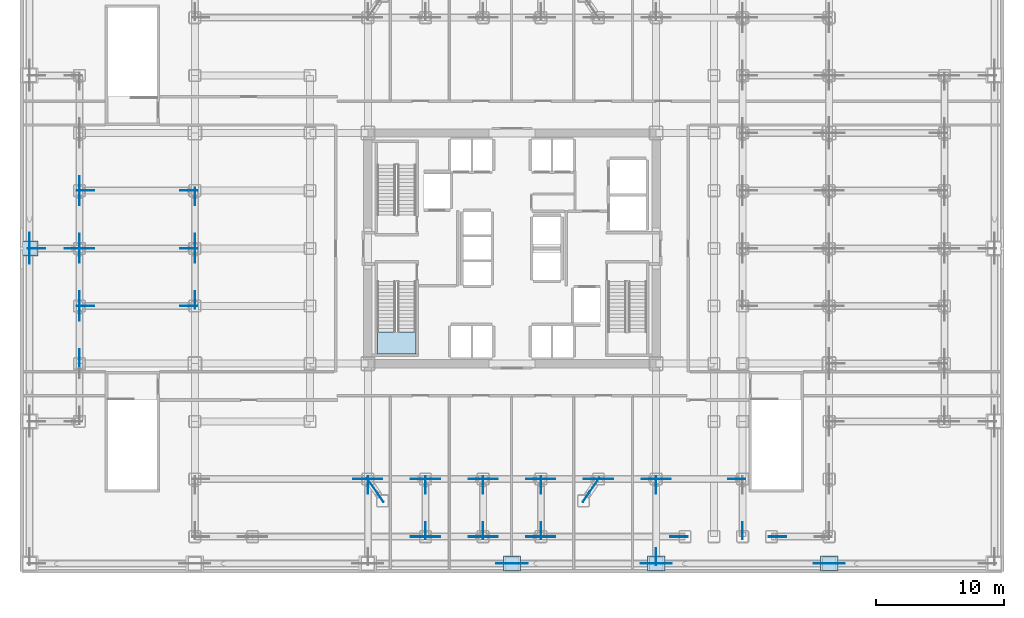
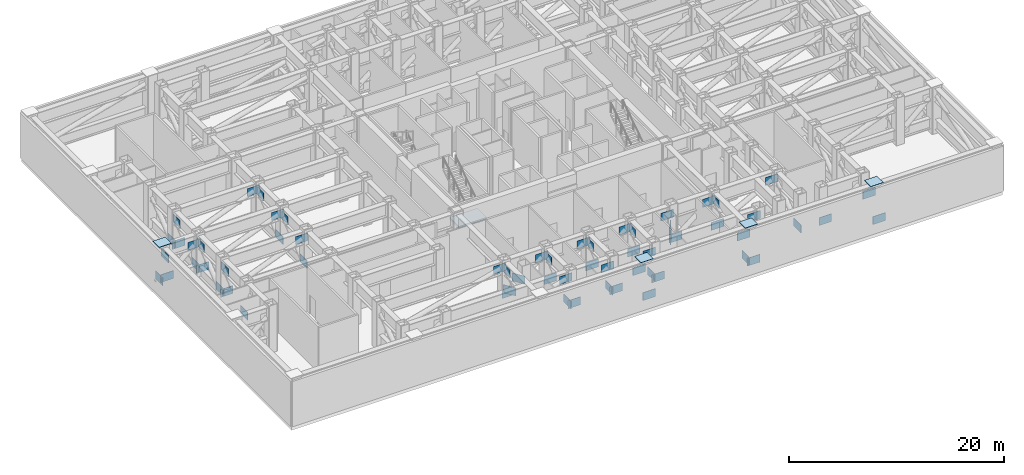
# One storey, part 6 of 17: 66 plates, 1 slab, 1 element without a shape of its own.
"""IFC4 building model written with IfcOpenShell, lengths in metres."""

from ifc_helpers import new_model, si_unit, direction, frame, origin, origin_2d, place, context, subcontext, project, spatial, polyline, rectangle, outline, extrude, source, transform, mapped, material, layer, layer_set, type_object, element, aggregate, save


model = new_model("IFC4")

# Units and contexts
model_context = context("Model", 3, precision=1e-05, world=origin(), true_north=direction((0.0, 1.0)))
body_context = subcontext(model_context, "Body", "Model", "MODEL_VIEW")
ifc_project = project(units=[si_unit("LENGTHUNIT", "METRE"), si_unit("AREAUNIT", "SQUARE_METRE"), si_unit("VOLUMEUNIT", "CUBIC_METRE"), si_unit("PLANEANGLEUNIT", "RADIAN"), si_unit("MASSUNIT", "GRAM", prefix="KILO")], contexts=[model_context])

# Site, building, storey
site_placement = place(None, origin())
site = spatial("IfcSite", under=ifc_project, at=site_placement, CompositionType="ELEMENT")
building_placement = place(site_placement, origin())
building = spatial("IfcBuilding", under=site, at=building_placement, Name="Nefas-Gora Pilgrimage Tower", CompositionType="ELEMENT")
storey_placement = place(building_placement, frame((0.0, 0.0, 27.60009765625)))
storey = spatial("IfcBuildingStorey", under=building, at=storey_placement, Name="L05", CompositionType="ELEMENT", Elevation=27.60009765625)

# Stair, slab
ifc_material_1 = material(Name="Concrete C45/55", Category="concrete")
stair_type = type_object("IfcStairType", Name="STR-1400-R1800", PredefinedType="HALF_TURN_STAIR", material=ifc_material_1)
stair_placement = place(storey_placement, origin())
stair = element("IfcStair", 1, at=stair_placement, inside=storey, type_object=stair_type, Name="L05 Pressurised Tower Exit Stair ST-03", PredefinedType="HALF_TURN_STAIR")
ifc_material_2 = material(Name="Concrete C40/50", Category="concrete")
ifc_layer_1 = layer(ifc_material_2, 0.199951171875)
ifc_layer_set_1 = layer_set([ifc_layer_1], Name="Concrete C40/50")
slab_type = type_object("IfcSlabType", Name="STR-LAND-200", PredefinedType="LANDING", material=ifc_layer_set_1)
slab_placement = place(storey_placement, frame((0.0, 0.0, 2.5)))
slab = element("IfcSlab", 2, at=slab_placement, type_object=slab_type, Name="ST-03 landing 1", PredefinedType="LANDING", context=body_context, shape_type="SweptSolid", body=[
    extrude(outline(polyline([(-10.5, -6.52001953125), (-10.5, -8.25), (-7.5, -8.25), (-7.5, -6.52001953125), (-10.5, -6.52001953125)])), origin(), (0.0, 0.0, 1.0), 0.199951171875),
])
aggregate(stair, [slab])

# Plates
ifc_material_3 = material(Name="Steel S460", Category="steel")
ifc_layer_2 = layer(ifc_material_3, 0.0400390625)
ifc_layer_set_2 = layer_set([ifc_layer_2], Name="Steel S460")
plate_type_1 = type_object("IfcPlateType", Name="PLT-NODE-N03", PredefinedType="USERDEFINED", material=ifc_layer_set_2)
shared_shape_1 = source(origin(), body_context, "Body", "SweptSolid", [
    extrude(rectangle(XDim=1.35009765625, YDim=0.044921875, at=origin_2d()), origin(), (0.0, 0.0, 1.0), 0.89990234375),
])
plate_1_placement = place(storey_placement, frame((-37.64990234375, -0.5380859375, 3.808349609375), z_axis=(0.0, 0.0, 1.0), x_axis=(0.0, 1.0, 0.0)))
element("IfcPlate", 3, at=plate_1_placement, inside=storey, type_object=plate_type_1, Name="Structural Node Gusset Plate N03 (L05)", ObjectType="GUSSET_PLATE", PredefinedType="USERDEFINED", context=body_context, shape_type="MappedRepresentation", body=[
    mapped(shared_shape_1, transform((0.0, 0.0, 0.0), x_axis=(1.0, 0.0, 0.0), y_axis=(0.0, 1.0, 0.0), z_axis=(0.0, 0.0, 1.0), scale=1.0)),
])
ifc_layer_3 = layer(ifc_material_3, 0.0380859375)
ifc_layer_set_3 = layer_set([ifc_layer_3], Name="Steel S460")
plate_type_2 = type_object("IfcPlateType", Name="PLT-NODE-N02", PredefinedType="USERDEFINED", material=ifc_layer_set_3)
for number, where, z_axis, x_axis, name in (
    (4, (-37.64990234375, 0.5380859375, 0.54150390625), (0.0, 0.0, 1.0), (0.0, 1.0, 0.0), "Structural Node Gusset Plate N02 (L05)"),
    (5, (-37.112060546875, 0.0, 0.8896484375), (0.0, 0.0, 1.0), (1.0, 0.0, 0.0), "Structural Node Gusset Plate N02 (L05)"),
):
    element("IfcPlate", number, at=place(storey_placement, frame(where, z_axis=z_axis, x_axis=x_axis)), inside=storey, type_object=plate_type_2, Name=name, ObjectType="GUSSET_PLATE", PredefinedType="USERDEFINED", context=body_context, shape_type="MappedRepresentation", body=[
        mapped(shared_shape_1, transform((0.0, 0.0, 0.0), x_axis=(1.0, 0.0, 0.0), y_axis=(0.0, 1.0, 0.0), z_axis=(0.0, 0.0, 1.0), scale=1.0)),
    ])
plate_2_placement = place(storey_placement, frame((-34.212890625, 0.0, 3.528564453125), z_axis=(0.0, 0.0, 1.0), x_axis=(1.0, 0.0, 0.0)))
element("IfcPlate", 6, at=plate_2_placement, inside=storey, type_object=plate_type_1, Name="Structural Node Gusset Plate N03 (L05)", ObjectType="GUSSET_PLATE", PredefinedType="USERDEFINED", context=body_context, shape_type="MappedRepresentation", body=[
    mapped(shared_shape_1, transform((0.0, 0.0, 0.0), x_axis=(1.0, 0.0, 0.0), y_axis=(0.0, 1.0, 0.0), z_axis=(0.0, 0.0, 1.0), scale=1.0)),
])
plate_3_placement = place(storey_placement, frame((-33.75, -8.537109375, 0.76513671875), z_axis=(0.0, 0.0, 1.0), x_axis=(0.0, 1.0, 0.0)))
element("IfcPlate", 7, at=plate_3_placement, inside=storey, type_object=plate_type_2, Name="Structural Node Gusset Plate N02 (L05)", ObjectType="GUSSET_PLATE", PredefinedType="USERDEFINED", context=body_context, shape_type="MappedRepresentation", body=[
    mapped(shared_shape_1, transform((0.0, 0.0, 0.0), x_axis=(1.0, 0.0, 0.0), y_axis=(0.0, 1.0, 0.0), z_axis=(0.0, 0.0, 1.0), scale=1.0)),
])
plate_4_placement = place(storey_placement, frame((-33.75, -4.962890625, 3.584716796875), z_axis=(0.0, 0.0, 1.0), x_axis=(0.0, 1.0, 0.0)))
element("IfcPlate", 8, at=plate_4_placement, inside=storey, type_object=plate_type_1, Name="Structural Node Gusset Plate N03 (L05)", ObjectType="GUSSET_PLATE", PredefinedType="USERDEFINED", context=body_context, shape_type="MappedRepresentation", body=[
    mapped(shared_shape_1, transform((0.0, 0.0, 0.0), x_axis=(1.0, 0.0, 0.0), y_axis=(0.0, 1.0, 0.0), z_axis=(0.0, 0.0, 1.0), scale=1.0)),
])
plate_5_placement = place(storey_placement, frame((-33.75, -4.037109375, 0.76513671875), z_axis=(0.0, 0.0, 1.0), x_axis=(0.0, 1.0, 0.0)))
element("IfcPlate", 9, at=plate_5_placement, inside=storey, type_object=plate_type_2, Name="Structural Node Gusset Plate N02 (L05)", ObjectType="GUSSET_PLATE", PredefinedType="USERDEFINED", context=body_context, shape_type="MappedRepresentation", body=[
    mapped(shared_shape_1, transform((0.0, 0.0, 0.0), x_axis=(1.0, 0.0, 0.0), y_axis=(0.0, 1.0, 0.0), z_axis=(0.0, 0.0, 1.0), scale=1.0)),
])
plate_6_placement = place(storey_placement, frame((-33.75, -0.462890625, 3.584716796875), z_axis=(0.0, 0.0, 1.0), x_axis=(0.0, 1.0, 0.0)))
element("IfcPlate", 10, at=plate_6_placement, inside=storey, type_object=plate_type_1, Name="Structural Node Gusset Plate N03 (L05)", ObjectType="GUSSET_PLATE", PredefinedType="USERDEFINED", context=body_context, shape_type="MappedRepresentation", body=[
    mapped(shared_shape_1, transform((0.0, 0.0, 0.0), x_axis=(1.0, 0.0, 0.0), y_axis=(0.0, 1.0, 0.0), z_axis=(0.0, 0.0, 1.0), scale=1.0)),
])
plate_7_placement = place(storey_placement, frame((-33.287109375, -4.5, 0.58251953125), z_axis=(0.0, 0.0, 1.0), x_axis=(1.0, 0.0, 0.0)))
element("IfcPlate", 11, at=plate_7_placement, inside=storey, type_object=plate_type_2, Name="Structural Node Gusset Plate N02 (L05)", ObjectType="GUSSET_PLATE", PredefinedType="USERDEFINED", context=body_context, shape_type="MappedRepresentation", body=[
    mapped(shared_shape_1, transform((0.0, 0.0, 0.0), x_axis=(1.0, 0.0, 0.0), y_axis=(0.0, 1.0, 0.0), z_axis=(0.0, 0.0, 1.0), scale=1.0)),
])
plate_8_placement = place(storey_placement, frame((-25.212890625, -4.5, 3.767333984375), z_axis=(0.0, 0.0, 1.0), x_axis=(1.0, 0.0, 0.0)))
element("IfcPlate", 12, at=plate_8_placement, inside=storey, type_object=plate_type_1, Name="Structural Node Gusset Plate N03 (L05)", ObjectType="GUSSET_PLATE", PredefinedType="USERDEFINED", context=body_context, shape_type="MappedRepresentation", body=[
    mapped(shared_shape_1, transform((0.0, 0.0, 0.0), x_axis=(1.0, 0.0, 0.0), y_axis=(0.0, 1.0, 0.0), z_axis=(0.0, 0.0, 1.0), scale=1.0)),
])
plate_9_placement = place(storey_placement, frame((-33.75, 0.462890625, 0.76513671875), z_axis=(0.0, 0.0, 1.0), x_axis=(0.0, 1.0, 0.0)))
element("IfcPlate", 13, at=plate_9_placement, inside=storey, type_object=plate_type_2, Name="Structural Node Gusset Plate N02 (L05)", ObjectType="GUSSET_PLATE", PredefinedType="USERDEFINED", context=body_context, shape_type="MappedRepresentation", body=[
    mapped(shared_shape_1, transform((0.0, 0.0, 0.0), x_axis=(1.0, 0.0, 0.0), y_axis=(0.0, 1.0, 0.0), z_axis=(0.0, 0.0, 1.0), scale=1.0)),
])
plate_10_placement = place(storey_placement, frame((-33.75, 4.037109375, 3.584716796875), z_axis=(0.0, 0.0, 1.0), x_axis=(0.0, 1.0, 0.0)))
element("IfcPlate", 14, at=plate_10_placement, inside=storey, type_object=plate_type_1, Name="Structural Node Gusset Plate N03 (L05)", ObjectType="GUSSET_PLATE", PredefinedType="USERDEFINED", context=body_context, shape_type="MappedRepresentation", body=[
    mapped(shared_shape_1, transform((0.0, 0.0, 0.0), x_axis=(1.0, 0.0, 0.0), y_axis=(0.0, 1.0, 0.0), z_axis=(0.0, 0.0, 1.0), scale=1.0)),
])
plate_11_placement = place(storey_placement, frame((-33.287109375, 0.0, 0.58251953125), z_axis=(0.0, 0.0, 1.0), x_axis=(1.0, 0.0, 0.0)))
element("IfcPlate", 15, at=plate_11_placement, inside=storey, type_object=plate_type_2, Name="Structural Node Gusset Plate N02 (L05)", ObjectType="GUSSET_PLATE", PredefinedType="USERDEFINED", context=body_context, shape_type="MappedRepresentation", body=[
    mapped(shared_shape_1, transform((0.0, 0.0, 0.0), x_axis=(1.0, 0.0, 0.0), y_axis=(0.0, 1.0, 0.0), z_axis=(0.0, 0.0, 1.0), scale=1.0)),
])
plate_12_placement = place(storey_placement, frame((-25.212890625, 0.0, 3.767333984375), z_axis=(0.0, 0.0, 1.0), x_axis=(1.0, 0.0, 0.0)))
element("IfcPlate", 16, at=plate_12_placement, inside=storey, type_object=plate_type_1, Name="Structural Node Gusset Plate N03 (L05)", ObjectType="GUSSET_PLATE", PredefinedType="USERDEFINED", context=body_context, shape_type="MappedRepresentation", body=[
    mapped(shared_shape_1, transform((0.0, 0.0, 0.0), x_axis=(1.0, 0.0, 0.0), y_axis=(0.0, 1.0, 0.0), z_axis=(0.0, 0.0, 1.0), scale=1.0)),
])
for number, where, z_axis, x_axis, name in (
    (17, (-33.75, 4.962890625, 0.76513671875), (0.0, 0.0, 1.0), (0.0, 1.0, 0.0), "Structural Node Gusset Plate N02 (L05)"),
    (18, (-33.287109375, 4.5, 0.58251953125), (0.0, 0.0, 1.0), (1.0, 0.0, 0.0), "Structural Node Gusset Plate N02 (L05)"),
):
    element("IfcPlate", number, at=place(storey_placement, frame(where, z_axis=z_axis, x_axis=x_axis)), inside=storey, type_object=plate_type_2, Name=name, ObjectType="GUSSET_PLATE", PredefinedType="USERDEFINED", context=body_context, shape_type="MappedRepresentation", body=[
        mapped(shared_shape_1, transform((0.0, 0.0, 0.0), x_axis=(1.0, 0.0, 0.0), y_axis=(0.0, 1.0, 0.0), z_axis=(0.0, 0.0, 1.0), scale=1.0)),
    ])
for number, where, z_axis, x_axis, name in (
    (19, (-25.212890625, 4.5, 3.767333984375), (0.0, 0.0, 1.0), (1.0, 0.0, 0.0), "Structural Node Gusset Plate N03 (L05)"),
    (20, (-11.712890625, -18.0, 3.828125), (0.0, 0.0, 1.0), (1.0, 0.0, 0.0), "Structural Node Gusset Plate N03 (L05)"),
):
    element("IfcPlate", number, at=place(storey_placement, frame(where, z_axis=z_axis, x_axis=x_axis)), inside=storey, type_object=plate_type_1, Name=name, ObjectType="GUSSET_PLATE", PredefinedType="USERDEFINED", context=body_context, shape_type="MappedRepresentation", body=[
        mapped(shared_shape_1, transform((0.0, 0.0, 0.0), x_axis=(1.0, 0.0, 0.0), y_axis=(0.0, 1.0, 0.0), z_axis=(0.0, 0.0, 1.0), scale=1.0)),
    ])
plate_13_placement = place(storey_placement, frame((-24.75, -4.037109375, 0.76513671875), z_axis=(0.0, 0.0, 1.0), x_axis=(0.0, 1.0, 0.0)))
element("IfcPlate", 21, at=plate_13_placement, inside=storey, type_object=plate_type_2, Name="Structural Node Gusset Plate N02 (L05)", ObjectType="GUSSET_PLATE", PredefinedType="USERDEFINED", context=body_context, shape_type="MappedRepresentation", body=[
    mapped(shared_shape_1, transform((0.0, 0.0, 0.0), x_axis=(1.0, 0.0, 0.0), y_axis=(0.0, 1.0, 0.0), z_axis=(0.0, 0.0, 1.0), scale=1.0)),
])
plate_14_placement = place(storey_placement, frame((-24.75, -0.462890625, 3.584716796875), z_axis=(0.0, 0.0, 1.0), x_axis=(0.0, 1.0, 0.0)))
element("IfcPlate", 22, at=plate_14_placement, inside=storey, type_object=plate_type_1, Name="Structural Node Gusset Plate N03 (L05)", ObjectType="GUSSET_PLATE", PredefinedType="USERDEFINED", context=body_context, shape_type="MappedRepresentation", body=[
    mapped(shared_shape_1, transform((0.0, 0.0, 0.0), x_axis=(1.0, 0.0, 0.0), y_axis=(0.0, 1.0, 0.0), z_axis=(0.0, 0.0, 1.0), scale=1.0)),
])
plate_15_placement = place(storey_placement, frame((-24.75, 0.462890625, 0.76513671875), z_axis=(0.0, 0.0, 1.0), x_axis=(0.0, 1.0, 0.0)))
element("IfcPlate", 23, at=plate_15_placement, inside=storey, type_object=plate_type_2, Name="Structural Node Gusset Plate N02 (L05)", ObjectType="GUSSET_PLATE", PredefinedType="USERDEFINED", context=body_context, shape_type="MappedRepresentation", body=[
    mapped(shared_shape_1, transform((0.0, 0.0, 0.0), x_axis=(1.0, 0.0, 0.0), y_axis=(0.0, 1.0, 0.0), z_axis=(0.0, 0.0, 1.0), scale=1.0)),
])
for number, where, z_axis, x_axis, name in (
    (24, (-24.75, 4.037109375, 3.584716796875), (0.0, 0.0, 1.0), (0.0, 1.0, 0.0), "Structural Node Gusset Plate N03 (L05)"),
    (25, (-7.212890625, -22.5, 3.828125), (0.0, 0.0, 1.0), (1.0, 0.0, 0.0), "Structural Node Gusset Plate N03 (L05)"),
    (26, (-11.25, -18.462890625, 3.700927734375), (0.0, 0.0, 1.0), (0.0, 1.0, 0.0), "Structural Node Gusset Plate N03 (L05)"),
    (27, (-0.5380859375, -24.60009765625, 3.780029296875), (0.0, 0.0, 1.0), (1.0, 0.0, 0.0), "Structural Node Gusset Plate N03 (L05)"),
):
    element("IfcPlate", number, at=place(storey_placement, frame(where, z_axis=z_axis, x_axis=x_axis)), inside=storey, type_object=plate_type_1, Name=name, ObjectType="GUSSET_PLATE", PredefinedType="USERDEFINED", context=body_context, shape_type="MappedRepresentation", body=[
        mapped(shared_shape_1, transform((0.0, 0.0, 0.0), x_axis=(1.0, 0.0, 0.0), y_axis=(0.0, 1.0, 0.0), z_axis=(0.0, 0.0, 1.0), scale=1.0)),
    ])
plate_16_placement = place(storey_placement, frame((-10.787109375, -18.0, 0.76513671875), z_axis=(0.0, 0.0, 1.0), x_axis=(1.0, 0.0, 0.0)))
element("IfcPlate", 28, at=plate_16_placement, inside=storey, type_object=plate_type_2, Name="Structural Node Gusset Plate N02 (L05)", ObjectType="GUSSET_PLATE", PredefinedType="USERDEFINED", context=body_context, shape_type="MappedRepresentation", body=[
    mapped(shared_shape_1, transform((0.0, 0.0, 0.0), x_axis=(1.0, 0.0, 0.0), y_axis=(0.0, 1.0, 0.0), z_axis=(0.0, 0.0, 1.0), scale=1.0)),
])
plate_17_placement = place(storey_placement, frame((-7.212890625, -18.0, 3.584716796875), z_axis=(0.0, 0.0, 1.0), x_axis=(1.0, 0.0, 0.0)))
element("IfcPlate", 29, at=plate_17_placement, inside=storey, type_object=plate_type_1, Name="Structural Node Gusset Plate N03 (L05)", ObjectType="GUSSET_PLATE", PredefinedType="USERDEFINED", context=body_context, shape_type="MappedRepresentation", body=[
    mapped(shared_shape_1, transform((0.0, 0.0, 0.0), x_axis=(1.0, 0.0, 0.0), y_axis=(0.0, 1.0, 0.0), z_axis=(0.0, 0.0, 1.0), scale=1.0)),
])
plate_18_placement = place(storey_placement, frame((-6.75, -22.037109375, 0.76513671875), z_axis=(0.0, 0.0, 1.0), x_axis=(0.0, 1.0, 0.0)))
element("IfcPlate", 30, at=plate_18_placement, inside=storey, type_object=plate_type_2, Name="Structural Node Gusset Plate N02 (L05)", ObjectType="GUSSET_PLATE", PredefinedType="USERDEFINED", context=body_context, shape_type="MappedRepresentation", body=[
    mapped(shared_shape_1, transform((0.0, 0.0, 0.0), x_axis=(1.0, 0.0, 0.0), y_axis=(0.0, 1.0, 0.0), z_axis=(0.0, 0.0, 1.0), scale=1.0)),
])
plate_19_placement = place(storey_placement, frame((-6.75, -18.462890625, 3.584716796875), z_axis=(0.0, 0.0, 1.0), x_axis=(0.0, 1.0, 0.0)))
element("IfcPlate", 31, at=plate_19_placement, inside=storey, type_object=plate_type_1, Name="Structural Node Gusset Plate N03 (L05)", ObjectType="GUSSET_PLATE", PredefinedType="USERDEFINED", context=body_context, shape_type="MappedRepresentation", body=[
    mapped(shared_shape_1, transform((0.0, 0.0, 0.0), x_axis=(1.0, 0.0, 0.0), y_axis=(0.0, 1.0, 0.0), z_axis=(0.0, 0.0, 1.0), scale=1.0)),
])
plate_20_placement = place(storey_placement, frame((-6.287109375, -22.5, 0.76513671875), z_axis=(0.0, 0.0, 1.0), x_axis=(1.0, 0.0, 0.0)))
element("IfcPlate", 32, at=plate_20_placement, inside=storey, type_object=plate_type_2, Name="Structural Node Gusset Plate N02 (L05)", ObjectType="GUSSET_PLATE", PredefinedType="USERDEFINED", context=body_context, shape_type="MappedRepresentation", body=[
    mapped(shared_shape_1, transform((0.0, 0.0, 0.0), x_axis=(1.0, 0.0, 0.0), y_axis=(0.0, 1.0, 0.0), z_axis=(0.0, 0.0, 1.0), scale=1.0)),
])
plate_21_placement = place(storey_placement, frame((-2.712890625, -22.5, 3.584716796875), z_axis=(0.0, 0.0, 1.0), x_axis=(1.0, 0.0, 0.0)))
element("IfcPlate", 33, at=plate_21_placement, inside=storey, type_object=plate_type_1, Name="Structural Node Gusset Plate N03 (L05)", ObjectType="GUSSET_PLATE", PredefinedType="USERDEFINED", context=body_context, shape_type="MappedRepresentation", body=[
    mapped(shared_shape_1, transform((0.0, 0.0, 0.0), x_axis=(1.0, 0.0, 0.0), y_axis=(0.0, 1.0, 0.0), z_axis=(0.0, 0.0, 1.0), scale=1.0)),
])
plate_22_placement = place(storey_placement, frame((-6.287109375, -18.0, 0.76513671875), z_axis=(0.0, 0.0, 1.0), x_axis=(1.0, 0.0, 0.0)))
element("IfcPlate", 34, at=plate_22_placement, inside=storey, type_object=plate_type_2, Name="Structural Node Gusset Plate N02 (L05)", ObjectType="GUSSET_PLATE", PredefinedType="USERDEFINED", context=body_context, shape_type="MappedRepresentation", body=[
    mapped(shared_shape_1, transform((0.0, 0.0, 0.0), x_axis=(1.0, 0.0, 0.0), y_axis=(0.0, 1.0, 0.0), z_axis=(0.0, 0.0, 1.0), scale=1.0)),
])
plate_23_placement = place(storey_placement, frame((-2.712890625, -18.0, 3.584716796875), z_axis=(0.0, 0.0, 1.0), x_axis=(1.0, 0.0, 0.0)))
element("IfcPlate", 35, at=plate_23_placement, inside=storey, type_object=plate_type_1, Name="Structural Node Gusset Plate N03 (L05)", ObjectType="GUSSET_PLATE", PredefinedType="USERDEFINED", context=body_context, shape_type="MappedRepresentation", body=[
    mapped(shared_shape_1, transform((0.0, 0.0, 0.0), x_axis=(1.0, 0.0, 0.0), y_axis=(0.0, 1.0, 0.0), z_axis=(0.0, 0.0, 1.0), scale=1.0)),
])
plate_24_placement = place(storey_placement, frame((-2.25, -22.037109375, 0.76513671875), z_axis=(0.0, 0.0, 1.0), x_axis=(0.0, 1.0, 0.0)))
element("IfcPlate", 36, at=plate_24_placement, inside=storey, type_object=plate_type_2, Name="Structural Node Gusset Plate N02 (L05)", ObjectType="GUSSET_PLATE", PredefinedType="USERDEFINED", context=body_context, shape_type="MappedRepresentation", body=[
    mapped(shared_shape_1, transform((0.0, 0.0, 0.0), x_axis=(1.0, 0.0, 0.0), y_axis=(0.0, 1.0, 0.0), z_axis=(0.0, 0.0, 1.0), scale=1.0)),
])
plate_25_placement = place(storey_placement, frame((-2.25, -18.462890625, 3.584716796875), z_axis=(0.0, 0.0, 1.0), x_axis=(0.0, 1.0, 0.0)))
element("IfcPlate", 37, at=plate_25_placement, inside=storey, type_object=plate_type_1, Name="Structural Node Gusset Plate N03 (L05)", ObjectType="GUSSET_PLATE", PredefinedType="USERDEFINED", context=body_context, shape_type="MappedRepresentation", body=[
    mapped(shared_shape_1, transform((0.0, 0.0, 0.0), x_axis=(1.0, 0.0, 0.0), y_axis=(0.0, 1.0, 0.0), z_axis=(0.0, 0.0, 1.0), scale=1.0)),
])
plate_26_placement = place(storey_placement, frame((-1.787109375, -22.5, 0.76513671875), z_axis=(0.0, 0.0, 1.0), x_axis=(1.0, 0.0, 0.0)))
element("IfcPlate", 38, at=plate_26_placement, inside=storey, type_object=plate_type_2, Name="Structural Node Gusset Plate N02 (L05)", ObjectType="GUSSET_PLATE", PredefinedType="USERDEFINED", context=body_context, shape_type="MappedRepresentation", body=[
    mapped(shared_shape_1, transform((0.0, 0.0, 0.0), x_axis=(1.0, 0.0, 0.0), y_axis=(0.0, 1.0, 0.0), z_axis=(0.0, 0.0, 1.0), scale=1.0)),
])
plate_27_placement = place(storey_placement, frame((1.787109375, -22.5, 3.584716796875), z_axis=(0.0, 0.0, 1.0), x_axis=(1.0, 0.0, 0.0)))
element("IfcPlate", 39, at=plate_27_placement, inside=storey, type_object=plate_type_1, Name="Structural Node Gusset Plate N03 (L05)", ObjectType="GUSSET_PLATE", PredefinedType="USERDEFINED", context=body_context, shape_type="MappedRepresentation", body=[
    mapped(shared_shape_1, transform((0.0, 0.0, 0.0), x_axis=(1.0, 0.0, 0.0), y_axis=(0.0, 1.0, 0.0), z_axis=(0.0, 0.0, 1.0), scale=1.0)),
])
plate_28_placement = place(storey_placement, frame((-1.787109375, -18.0, 0.76513671875), z_axis=(0.0, 0.0, 1.0), x_axis=(1.0, 0.0, 0.0)))
element("IfcPlate", 40, at=plate_28_placement, inside=storey, type_object=plate_type_2, Name="Structural Node Gusset Plate N02 (L05)", ObjectType="GUSSET_PLATE", PredefinedType="USERDEFINED", context=body_context, shape_type="MappedRepresentation", body=[
    mapped(shared_shape_1, transform((0.0, 0.0, 0.0), x_axis=(1.0, 0.0, 0.0), y_axis=(0.0, 1.0, 0.0), z_axis=(0.0, 0.0, 1.0), scale=1.0)),
])
plate_29_placement = place(storey_placement, frame((1.787109375, -18.0, 3.584716796875), z_axis=(0.0, 0.0, 1.0), x_axis=(1.0, 0.0, 0.0)))
element("IfcPlate", 41, at=plate_29_placement, inside=storey, type_object=plate_type_1, Name="Structural Node Gusset Plate N03 (L05)", ObjectType="GUSSET_PLATE", PredefinedType="USERDEFINED", context=body_context, shape_type="MappedRepresentation", body=[
    mapped(shared_shape_1, transform((0.0, 0.0, 0.0), x_axis=(1.0, 0.0, 0.0), y_axis=(0.0, 1.0, 0.0), z_axis=(0.0, 0.0, 1.0), scale=1.0)),
])
plate_30_placement = place(storey_placement, frame((0.5380859375, -24.60009765625, 0.56982421875), z_axis=(0.0, 0.0, 1.0), x_axis=(1.0, 0.0, 0.0)))
element("IfcPlate", 42, at=plate_30_placement, inside=storey, type_object=plate_type_2, Name="Structural Node Gusset Plate N02 (L05)", ObjectType="GUSSET_PLATE", PredefinedType="USERDEFINED", context=body_context, shape_type="MappedRepresentation", body=[
    mapped(shared_shape_1, transform((0.0, 0.0, 0.0), x_axis=(1.0, 0.0, 0.0), y_axis=(0.0, 1.0, 0.0), z_axis=(0.0, 0.0, 1.0), scale=1.0)),
])
plate_31_placement = place(storey_placement, frame((10.7119140625, -24.60009765625, 3.780029296875), z_axis=(0.0, 0.0, 1.0), x_axis=(1.0, 0.0, 0.0)))
element("IfcPlate", 43, at=plate_31_placement, inside=storey, type_object=plate_type_1, Name="Structural Node Gusset Plate N03 (L05)", ObjectType="GUSSET_PLATE", PredefinedType="USERDEFINED", context=body_context, shape_type="MappedRepresentation", body=[
    mapped(shared_shape_1, transform((0.0, 0.0, 0.0), x_axis=(1.0, 0.0, 0.0), y_axis=(0.0, 1.0, 0.0), z_axis=(0.0, 0.0, 1.0), scale=1.0)),
])
plate_32_placement = place(storey_placement, frame((2.25, -22.037109375, 0.76513671875), z_axis=(0.0, 0.0, 1.0), x_axis=(0.0, 1.0, 0.0)))
element("IfcPlate", 44, at=plate_32_placement, inside=storey, type_object=plate_type_2, Name="Structural Node Gusset Plate N02 (L05)", ObjectType="GUSSET_PLATE", PredefinedType="USERDEFINED", context=body_context, shape_type="MappedRepresentation", body=[
    mapped(shared_shape_1, transform((0.0, 0.0, 0.0), x_axis=(1.0, 0.0, 0.0), y_axis=(0.0, 1.0, 0.0), z_axis=(0.0, 0.0, 1.0), scale=1.0)),
])
plate_33_placement = place(storey_placement, frame((2.25, -18.462890625, 3.584716796875), z_axis=(0.0, 0.0, 1.0), x_axis=(0.0, 1.0, 0.0)))
element("IfcPlate", 45, at=plate_33_placement, inside=storey, type_object=plate_type_1, Name="Structural Node Gusset Plate N03 (L05)", ObjectType="GUSSET_PLATE", PredefinedType="USERDEFINED", context=body_context, shape_type="MappedRepresentation", body=[
    mapped(shared_shape_1, transform((0.0, 0.0, 0.0), x_axis=(1.0, 0.0, 0.0), y_axis=(0.0, 1.0, 0.0), z_axis=(0.0, 0.0, 1.0), scale=1.0)),
])
plate_34_placement = place(storey_placement, frame((2.712890625, -22.5, 0.546142578125), z_axis=(0.0, 0.0, 1.0), x_axis=(1.0, 0.0, 0.0)))
element("IfcPlate", 46, at=plate_34_placement, inside=storey, type_object=plate_type_2, Name="Structural Node Gusset Plate N02 (L05)", ObjectType="GUSSET_PLATE", PredefinedType="USERDEFINED", context=body_context, shape_type="MappedRepresentation", body=[
    mapped(shared_shape_1, transform((0.0, 0.0, 0.0), x_axis=(1.0, 0.0, 0.0), y_axis=(0.0, 1.0, 0.0), z_axis=(0.0, 0.0, 1.0), scale=1.0)),
])
plate_35_placement = place(storey_placement, frame((13.037109375, -22.5, 3.803955078125), z_axis=(0.0, 0.0, 1.0), x_axis=(1.0, 0.0, 0.0)))
element("IfcPlate", 47, at=plate_35_placement, inside=storey, type_object=plate_type_1, Name="Structural Node Gusset Plate N03 (L05)", ObjectType="GUSSET_PLATE", PredefinedType="USERDEFINED", context=body_context, shape_type="MappedRepresentation", body=[
    mapped(shared_shape_1, transform((0.0, 0.0, 0.0), x_axis=(1.0, 0.0, 0.0), y_axis=(0.0, 1.0, 0.0), z_axis=(0.0, 0.0, 1.0), scale=1.0)),
])
plate_36_placement = place(storey_placement, frame((2.712890625, -18.0, 0.76513671875), z_axis=(0.0, 0.0, 1.0), x_axis=(1.0, 0.0, 0.0)))
element("IfcPlate", 48, at=plate_36_placement, inside=storey, type_object=plate_type_2, Name="Structural Node Gusset Plate N02 (L05)", ObjectType="GUSSET_PLATE", PredefinedType="USERDEFINED", context=body_context, shape_type="MappedRepresentation", body=[
    mapped(shared_shape_1, transform((0.0, 0.0, 0.0), x_axis=(1.0, 0.0, 0.0), y_axis=(0.0, 1.0, 0.0), z_axis=(0.0, 0.0, 1.0), scale=1.0)),
])
plate_37_placement = place(storey_placement, frame((6.287109375, -18.0, 3.584716796875), z_axis=(0.0, 0.0, 1.0), x_axis=(1.0, 0.0, 0.0)))
element("IfcPlate", 49, at=plate_37_placement, inside=storey, type_object=plate_type_1, Name="Structural Node Gusset Plate N03 (L05)", ObjectType="GUSSET_PLATE", PredefinedType="USERDEFINED", context=body_context, shape_type="MappedRepresentation", body=[
    mapped(shared_shape_1, transform((0.0, 0.0, 0.0), x_axis=(1.0, 0.0, 0.0), y_axis=(0.0, 1.0, 0.0), z_axis=(0.0, 0.0, 1.0), scale=1.0)),
])
plate_38_placement = place(storey_placement, frame((7.212890625, -18.0, 0.76513671875), z_axis=(0.0, 0.0, 1.0), x_axis=(1.0, 0.0, 0.0)))
element("IfcPlate", 50, at=plate_38_placement, inside=storey, type_object=plate_type_2, Name="Structural Node Gusset Plate N02 (L05)", ObjectType="GUSSET_PLATE", PredefinedType="USERDEFINED", context=body_context, shape_type="MappedRepresentation", body=[
    mapped(shared_shape_1, transform((0.0, 0.0, 0.0), x_axis=(1.0, 0.0, 0.0), y_axis=(0.0, 1.0, 0.0), z_axis=(0.0, 0.0, 1.0), scale=1.0)),
])
plate_39_placement = place(storey_placement, frame((10.787109375, -18.0, 3.584716796875), z_axis=(0.0, 0.0, 1.0), x_axis=(1.0, 0.0, 0.0)))
element("IfcPlate", 51, at=plate_39_placement, inside=storey, type_object=plate_type_1, Name="Structural Node Gusset Plate N03 (L05)", ObjectType="GUSSET_PLATE", PredefinedType="USERDEFINED", context=body_context, shape_type="MappedRepresentation", body=[
    mapped(shared_shape_1, transform((0.0, 0.0, 0.0), x_axis=(1.0, 0.0, 0.0), y_axis=(0.0, 1.0, 0.0), z_axis=(0.0, 0.0, 1.0), scale=1.0)),
])
plate_40_placement = place(storey_placement, frame((11.25, -24.06201171875, 0.689453125), z_axis=(0.0, 0.0, 1.0), x_axis=(0.0, 1.0, 0.0)))
element("IfcPlate", 52, at=plate_40_placement, inside=storey, type_object=plate_type_2, Name="Structural Node Gusset Plate N02 (L05)", ObjectType="GUSSET_PLATE", PredefinedType="USERDEFINED", context=body_context, shape_type="MappedRepresentation", body=[
    mapped(shared_shape_1, transform((0.0, 0.0, 0.0), x_axis=(1.0, 0.0, 0.0), y_axis=(0.0, 1.0, 0.0), z_axis=(0.0, 0.0, 1.0), scale=1.0)),
])
plate_41_placement = place(storey_placement, frame((11.25, -18.462890625, 3.700927734375), z_axis=(0.0, 0.0, 1.0), x_axis=(0.0, 1.0, 0.0)))
element("IfcPlate", 53, at=plate_41_placement, inside=storey, type_object=plate_type_1, Name="Structural Node Gusset Plate N03 (L05)", ObjectType="GUSSET_PLATE", PredefinedType="USERDEFINED", context=body_context, shape_type="MappedRepresentation", body=[
    mapped(shared_shape_1, transform((0.0, 0.0, 0.0), x_axis=(1.0, 0.0, 0.0), y_axis=(0.0, 1.0, 0.0), z_axis=(0.0, 0.0, 1.0), scale=1.0)),
])
plate_42_placement = place(storey_placement, frame((11.7880859375, -24.60009765625, 0.54150390625), z_axis=(0.0, 0.0, 1.0), x_axis=(1.0, 0.0, 0.0)))
element("IfcPlate", 54, at=plate_42_placement, inside=storey, type_object=plate_type_2, Name="Structural Node Gusset Plate N02 (L05)", ObjectType="GUSSET_PLATE", PredefinedType="USERDEFINED", context=body_context, shape_type="MappedRepresentation", body=[
    mapped(shared_shape_1, transform((0.0, 0.0, 0.0), x_axis=(1.0, 0.0, 0.0), y_axis=(0.0, 1.0, 0.0), z_axis=(0.0, 0.0, 1.0), scale=1.0)),
])
plate_43_placement = place(storey_placement, frame((24.2119140625, -24.60009765625, 3.808349609375), z_axis=(0.0, 0.0, 1.0), x_axis=(1.0, 0.0, 0.0)))
element("IfcPlate", 55, at=plate_43_placement, inside=storey, type_object=plate_type_1, Name="Structural Node Gusset Plate N03 (L05)", ObjectType="GUSSET_PLATE", PredefinedType="USERDEFINED", context=body_context, shape_type="MappedRepresentation", body=[
    mapped(shared_shape_1, transform((0.0, 0.0, 0.0), x_axis=(1.0, 0.0, 0.0), y_axis=(0.0, 1.0, 0.0), z_axis=(0.0, 0.0, 1.0), scale=1.0)),
])
plate_44_placement = place(storey_placement, frame((11.712890625, -18.0, 0.6435546875), z_axis=(0.0, 0.0, 1.0), x_axis=(1.0, 0.0, 0.0)))
element("IfcPlate", 56, at=plate_44_placement, inside=storey, type_object=plate_type_2, Name="Structural Node Gusset Plate N02 (L05)", ObjectType="GUSSET_PLATE", PredefinedType="USERDEFINED", context=body_context, shape_type="MappedRepresentation", body=[
    mapped(shared_shape_1, transform((0.0, 0.0, 0.0), x_axis=(1.0, 0.0, 0.0), y_axis=(0.0, 1.0, 0.0), z_axis=(0.0, 0.0, 1.0), scale=1.0)),
])
plate_45_placement = place(storey_placement, frame((17.537109375, -18.0, 3.70654296875), z_axis=(0.0, 0.0, 1.0), x_axis=(1.0, 0.0, 0.0)))
element("IfcPlate", 57, at=plate_45_placement, inside=storey, type_object=plate_type_1, Name="Structural Node Gusset Plate N03 (L05)", ObjectType="GUSSET_PLATE", PredefinedType="USERDEFINED", context=body_context, shape_type="MappedRepresentation", body=[
    mapped(shared_shape_1, transform((0.0, 0.0, 0.0), x_axis=(1.0, 0.0, 0.0), y_axis=(0.0, 1.0, 0.0), z_axis=(0.0, 0.0, 1.0), scale=1.0)),
])
for number, where, z_axis, x_axis, name in (
    (58, (18.0, -22.037109375, 0.76513671875), (0.0, 0.0, 1.0), (0.0, 1.0, 0.0), "Structural Node Gusset Plate N02 (L05)"),
    (59, (20.712890625, -22.5, 0.76513671875), (0.0, 0.0, 1.0), (1.0, 0.0, 0.0), "Structural Node Gusset Plate N02 (L05)"),
    (60, (25.2880859375, -24.60009765625, 0.548095703125), (0.0, 0.0, 1.0), (1.0, 0.0, 0.0), "Structural Node Gusset Plate N02 (L05)"),
    (61, (-10.93359375, -18.462890625, 1.369140625), (0.0, 0.0, 1.0), (0.56424674103, -0.825606210755, 0.0), "Structural Node Gusset Plate N02 (L05)"),
):
    element("IfcPlate", number, at=place(storey_placement, frame(where, z_axis=z_axis, x_axis=x_axis)), inside=storey, type_object=plate_type_2, Name=name, ObjectType="GUSSET_PLATE", PredefinedType="USERDEFINED", context=body_context, shape_type="MappedRepresentation", body=[
        mapped(shared_shape_1, transform((0.0, 0.0, 0.0), x_axis=(1.0, 0.0, 0.0), y_axis=(0.0, 1.0, 0.0), z_axis=(0.0, 0.0, 1.0), scale=1.0)),
    ])
plate_46_placement = place(storey_placement, frame((-10.407470703125, -19.23291015625, 2.98095703125), z_axis=(0.0, 0.0, 1.0), x_axis=(0.56424674103, -0.825606210755, 0.0)))
element("IfcPlate", 62, at=plate_46_placement, inside=storey, type_object=plate_type_1, Name="Structural Node Gusset Plate N03 (L05)", ObjectType="GUSSET_PLATE", PredefinedType="USERDEFINED", context=body_context, shape_type="MappedRepresentation", body=[
    mapped(shared_shape_1, transform((0.0, 0.0, 0.0), x_axis=(1.0, 0.0, 0.0), y_axis=(0.0, 1.0, 0.0), z_axis=(0.0, 0.0, 1.0), scale=1.0)),
])
plate_47_placement = place(storey_placement, frame((6.43359375, -18.462890625, 1.369140625), z_axis=(0.0, 0.0, 1.0), x_axis=(-0.56424674103, -0.825606210755, 0.0)))
element("IfcPlate", 63, at=plate_47_placement, inside=storey, type_object=plate_type_2, Name="Structural Node Gusset Plate N02 (L05)", ObjectType="GUSSET_PLATE", PredefinedType="USERDEFINED", context=body_context, shape_type="MappedRepresentation", body=[
    mapped(shared_shape_1, transform((0.0, 0.0, 0.0), x_axis=(1.0, 0.0, 0.0), y_axis=(0.0, 1.0, 0.0), z_axis=(0.0, 0.0, 1.0), scale=1.0)),
])
plate_48_placement = place(storey_placement, frame((5.907470703125, -19.23291015625, 2.98095703125), z_axis=(0.0, 0.0, 1.0), x_axis=(-0.56424674103, -0.825606210755, 0.0)))
element("IfcPlate", 64, at=plate_48_placement, inside=storey, type_object=plate_type_1, Name="Structural Node Gusset Plate N03 (L05)", ObjectType="GUSSET_PLATE", PredefinedType="USERDEFINED", context=body_context, shape_type="MappedRepresentation", body=[
    mapped(shared_shape_1, transform((0.0, 0.0, 0.0), x_axis=(1.0, 0.0, 0.0), y_axis=(0.0, 1.0, 0.0), z_axis=(0.0, 0.0, 1.0), scale=1.0)),
])
ifc_layer_4 = layer(ifc_material_3, 0.0400390625)
ifc_layer_set_4 = layer_set([ifc_layer_4], Name="Steel S460")
plate_type_3 = type_object("IfcPlateType", Name="PLT-ENDCAP-40", PredefinedType="SHEET", material=ifc_layer_set_4)
shared_shape_2 = source(origin(), body_context, "Body", "SweptSolid", [
    extrude(rectangle(XDim=1.342041015625, YDim=1.179931640625, at=origin_2d()), origin(), (0.0, 0.0, 1.0), 0.050048828125),
])
for number, where, z_axis, x_axis, name in (
    (65, (-37.64990234375, 0.0, 5.375), (0.0, 0.0, 1.0), (1.0, 0.0, 0.0), "L05 Setback Hollow Column Top Cap Plate 3"),
    (66, (0.0, -24.60009765625, 5.375), (0.0, 0.0, 1.0), (1.0, 0.0, 0.0), "L05 Setback Hollow Column Top Cap Plate 10"),
    (67, (11.25, -24.60009765625, 5.375), (0.0, 0.0, 1.0), (1.0, 0.0, 0.0), "L05 Setback Hollow Column Top Cap Plate 12"),
    (68, (24.75, -24.60009765625, 5.375), (0.0, 0.0, 1.0), (1.0, 0.0, 0.0), "L05 Setback Hollow Column Top Cap Plate 14"),
):
    element("IfcPlate", number, at=place(storey_placement, frame(where, z_axis=z_axis, x_axis=x_axis)), inside=storey, type_object=plate_type_3, Name=name, PredefinedType="SHEET", context=body_context, shape_type="MappedRepresentation", body=[
        mapped(shared_shape_2, transform((0.0, 0.0, 0.0), x_axis=(1.0, 0.0, 0.0), y_axis=(0.0, 1.0, 0.0), z_axis=(0.0, 0.0, 1.0), scale=1.0)),
    ])

save(model, "model.ifc")
